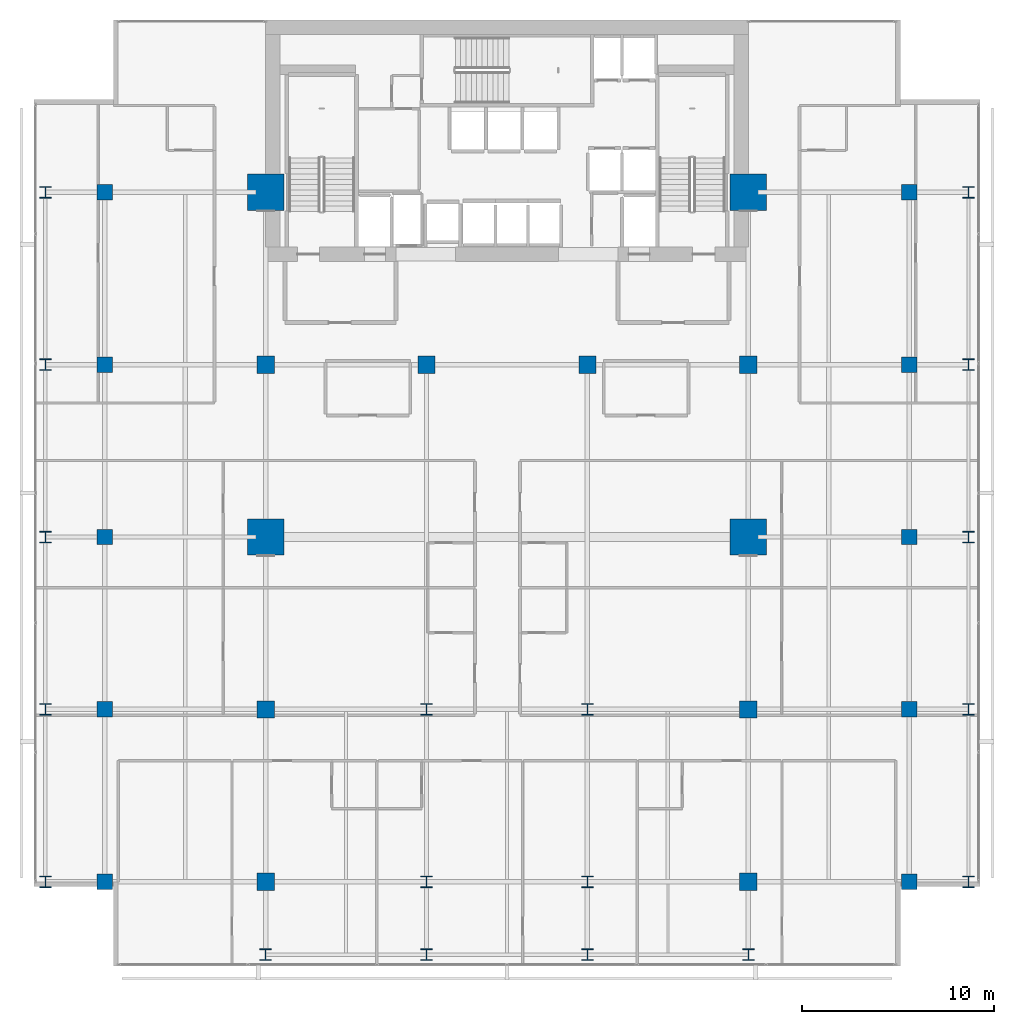
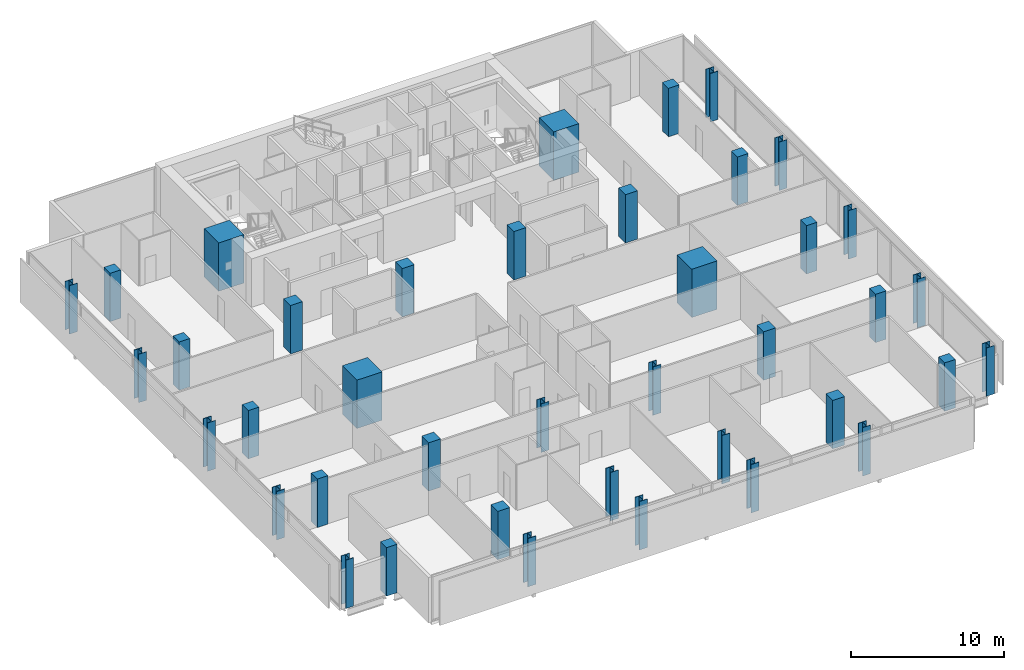
# One storey, part 1 of 32: 40 columns.
"""IFC4 building model written with IfcOpenShell, lengths in metres."""

from ifc_helpers import new_model, si_unit, direction, frame, origin, origin_2d, place, context, subcontext, project, spatial, rectangle, i_section, extrude, material, material_profile, profile_set, type_object, element, save


model = new_model("IFC4")

# Units and contexts
model_context = context("Model", 3, precision=1e-05, world=origin(), true_north=direction((0.0, 1.0)))
body_context = subcontext(model_context, "Body", "Model", "MODEL_VIEW")
ifc_project = project(units=[si_unit("LENGTHUNIT", "METRE"), si_unit("AREAUNIT", "SQUARE_METRE"), si_unit("VOLUMEUNIT", "CUBIC_METRE"), si_unit("PLANEANGLEUNIT", "RADIAN"), si_unit("MASSUNIT", "GRAM", prefix="KILO")], contexts=[model_context])

# Site, building, storey
site_placement = place(None, origin())
site = spatial("IfcSite", under=ifc_project, at=site_placement, CompositionType="ELEMENT")
building_placement = place(site_placement, origin())
building = spatial("IfcBuilding", under=site, at=building_placement, Name="Maruvema Waterfront Hotel and Observation Tower", CompositionType="ELEMENT")
storey_placement = place(building_placement, frame((0.0, 0.0, 165.89990234375)))
storey = spatial("IfcBuildingStorey", under=building, at=storey_placement, Name="L40", CompositionType="ELEMENT", Elevation=165.89990234375)

# Columns
ifc_material_1 = material(Name="Concrete C80/95", Category="concrete")
ifc_material_profile_1 = material_profile(ifc_material_1, rectangle(XDim=1.89990234375, YDim=1.89990234375, at=origin_2d()), Name="MC1900x1900")
ifc_profile_set_1 = profile_set([ifc_material_profile_1], Name="Concrete C80/95")
column_type_1 = type_object("IfcColumnType", Name="Continuous Mega-Column MC1900x1900", PredefinedType="COLUMN", material=ifc_profile_set_1)
for number, where, z_axis, x_axis, name in (
    (1, (25.199951171875, 27.0, 0.0), (0.0, 0.0, 1.0), (1.0, 0.0, 0.0), "L40 Continuous Mega-Column MC-01"),
    (2, (50.39990234375, 27.0, 0.0), (0.0, 0.0, 1.0), (1.0, 0.0, 0.0), "L40 Continuous Mega-Column MC-02"),
    (3, (25.199951171875, 45.0, 0.0), (0.0, 0.0, 1.0), (1.0, 0.0, 0.0), "L40 Continuous Mega-Column MC-03"),
    (4, (50.39990234375, 45.0, 0.0), (0.0, 0.0, 1.0), (1.0, 0.0, 0.0), "L40 Continuous Mega-Column MC-04"),
):
    element("IfcColumn", number, at=place(storey_placement, frame(where, z_axis=z_axis, x_axis=x_axis)), inside=storey, type_object=column_type_1, Name=name, PredefinedType="COLUMN", context=body_context, shape_type="SweptSolid", body=[
        extrude(rectangle(XDim=1.89990234375, YDim=1.89990234375, at=origin_2d()), origin(), (0.0, 0.0, 1.0), 3.85009765625),
    ])
ifc_material_2 = material(Name="Concrete C60/75", Category="concrete")
ifc_material_profile_2 = material_profile(ifc_material_2, rectangle(XDim=0.800048828125, YDim=0.800048828125, at=origin_2d()), Name="RC800x800")
ifc_profile_set_2 = profile_set([ifc_material_profile_2], Name="Concrete C60/75")
column_type_2 = type_object("IfcColumnType", Name="Reinforced Concrete Column RC800x800", PredefinedType="COLUMN", material=ifc_profile_set_2)
for number, where, z_axis, x_axis, name in (
    (5, (16.800048828125, 9.0, 0.0), (0.0, 0.0, 1.0), (1.0, 0.0, 0.0), "L40 Column C-3Y9"),
    (6, (58.800048828125, 9.0, 0.0), (0.0, 0.0, 1.0), (1.0, 0.0, 0.0), "L40 Column C-8Y9"),
    (7, (16.800048828125, 18.0, 0.0), (0.0, 0.0, 1.0), (1.0, 0.0, 0.0), "L40 Column C-3Y18"),
    (8, (58.800048828125, 18.0, 0.0), (0.0, 0.0, 1.0), (1.0, 0.0, 0.0), "L40 Column C-8Y18"),
    (9, (16.800048828125, 27.0, 0.0), (0.0, 0.0, 1.0), (1.0, 0.0, 0.0), "L40 Column C-3Y27"),
    (10, (58.800048828125, 27.0, 0.0), (0.0, 0.0, 1.0), (1.0, 0.0, 0.0), "L40 Column C-8Y27"),
    (11, (16.800048828125, 36.0, 0.0), (0.0, 0.0, 1.0), (1.0, 0.0, 0.0), "L40 Column C-3Y36"),
    (12, (58.800048828125, 36.0, 0.0), (0.0, 0.0, 1.0), (1.0, 0.0, 0.0), "L40 Column C-8Y36"),
    (13, (16.800048828125, 45.0, 0.0), (0.0, 0.0, 1.0), (1.0, 0.0, 0.0), "L40 Column C-3Y45"),
    (14, (58.800048828125, 45.0, 0.0), (0.0, 0.0, 1.0), (1.0, 0.0, 0.0), "L40 Column C-8Y45"),
):
    element("IfcColumn", number, at=place(storey_placement, frame(where, z_axis=z_axis, x_axis=x_axis)), inside=storey, type_object=column_type_2, Name=name, PredefinedType="COLUMN", context=body_context, shape_type="SweptSolid", body=[
        extrude(rectangle(XDim=0.800048828125, YDim=0.800048828125, at=origin_2d()), origin(), (0.0, 0.0, 1.0), 3.85009765625),
    ])
ifc_material_3 = material(Name="Concrete C60/75", Category="concrete")
ifc_material_profile_3 = material_profile(ifc_material_3, rectangle(XDim=0.89990234375, YDim=0.89990234375, at=origin_2d()), Name="RC900x900")
ifc_profile_set_3 = profile_set([ifc_material_profile_3], Name="Concrete C60/75")
column_type_3 = type_object("IfcColumnType", Name="Reinforced Concrete Column RC900x900", PredefinedType="COLUMN", material=ifc_profile_set_3)
for number, where, z_axis, x_axis, name in (
    (15, (25.199951171875, 36.0, 0.0), (0.0, 0.0, 1.0), (1.0, 0.0, 0.0), "L40 Column C-4E"),
    (16, (33.60009765625, 36.0, 0.0), (0.0, 0.0, 1.0), (1.0, 0.0, 0.0), "L40 Column C-5E"),
    (17, (42.0, 36.0, 0.0), (0.0, 0.0, 1.0), (1.0, 0.0, 0.0), "L40 Column C-6E"),
    (18, (50.39990234375, 36.0, 0.0), (0.0, 0.0, 1.0), (1.0, 0.0, 0.0), "L40 Column C-7E"),
    (19, (25.199951171875, 18.0, 0.0), (0.0, 0.0, 1.0), (1.0, 0.0, 0.0), "L40 Column C-4C"),
    (20, (50.39990234375, 18.0, 0.0), (0.0, 0.0, 1.0), (1.0, 0.0, 0.0), "L40 Column C-7C"),
    (21, (25.199951171875, 9.0, 0.0), (0.0, 0.0, 1.0), (1.0, 0.0, 0.0), "L40 Column C-4B"),
    (22, (50.39990234375, 9.0, 0.0), (0.0, 0.0, 1.0), (1.0, 0.0, 0.0), "L40 Column C-7B"),
):
    element("IfcColumn", number, at=place(storey_placement, frame(where, z_axis=z_axis, x_axis=x_axis)), inside=storey, type_object=column_type_3, Name=name, PredefinedType="COLUMN", context=body_context, shape_type="SweptSolid", body=[
        extrude(rectangle(XDim=0.89990234375, YDim=0.89990234375, at=origin_2d()), origin(), (0.0, 0.0, 1.0), 3.85009765625),
    ])
ifc_material_4 = material(Name="Steel ABNT NBR 7007 AR 415 (ASTM A572 Grade 50)", Category="steel")
ifc_material_profile_4 = material_profile(ifc_material_4, i_section(OverallWidth=0.60009765625, OverallDepth=0.60009765625, WebThickness=0.02490234375, FlangeThickness=0.0380859375, at=origin_2d()), Name="CVS600x317")
ifc_profile_set_4 = profile_set([ifc_material_profile_4], Name="Steel ABNT NBR 7007 AR 415 (ASTM A572 Grade 50)")
column_type_4 = type_object("IfcColumnType", Name="Structural Steel Column CVS600x317", PredefinedType="COLUMN", material=ifc_profile_set_4)
for number, where, z_axis, x_axis, name in (
    (23, (33.60009765625, 9.0, 0.0), (0.0, 0.0, 1.0), (1.0, 0.0, 0.0), "L40 Column C-5B"),
    (24, (42.0, 9.0, 0.0), (0.0, 0.0, 1.0), (1.0, 0.0, 0.0), "L40 Column C-6B"),
    (25, (33.60009765625, 18.0, 0.0), (0.0, 0.0, 1.0), (1.0, 0.0, 0.0), "L40 Column C-5C"),
    (26, (42.0, 18.0, 0.0), (0.0, 0.0, 1.0), (1.0, 0.0, 0.0), "L40 Column C-6C"),
    (27, (13.699951171875, 9.0, 0.0), (0.0, 0.0, 1.0), (1.0, 0.0, 0.0), "L40 Column C-Z2W9"),
    (28, (61.89990234375, 9.0, 0.0), (0.0, 0.0, 1.0), (1.0, 0.0, 0.0), "L40 Column C-Z2E9"),
    (29, (13.699951171875, 18.0, 0.0), (0.0, 0.0, 1.0), (1.0, 0.0, 0.0), "L40 Column C-Z2W18"),
    (30, (61.89990234375, 18.0, 0.0), (0.0, 0.0, 1.0), (1.0, 0.0, 0.0), "L40 Column C-Z2E18"),
    (31, (13.699951171875, 27.0, 0.0), (0.0, 0.0, 1.0), (1.0, 0.0, 0.0), "L40 Column C-Z2W27"),
    (32, (61.89990234375, 27.0, 0.0), (0.0, 0.0, 1.0), (1.0, 0.0, 0.0), "L40 Column C-Z2E27"),
    (33, (13.699951171875, 36.0, 0.0), (0.0, 0.0, 1.0), (1.0, 0.0, 0.0), "L40 Column C-Z2W36"),
    (34, (61.89990234375, 36.0, 0.0), (0.0, 0.0, 1.0), (1.0, 0.0, 0.0), "L40 Column C-Z2E36"),
    (35, (13.699951171875, 45.0, 0.0), (0.0, 0.0, 1.0), (1.0, 0.0, 0.0), "L40 Column C-Z2W45"),
    (36, (61.89990234375, 45.0, 0.0), (0.0, 0.0, 1.0), (1.0, 0.0, 0.0), "L40 Column C-Z2E45"),
    (37, (25.199951171875, 5.199951171875, 0.0), (0.0, 0.0, 1.0), (1.0, 0.0, 0.0), "L40 Column C-Z2S4"),
    (38, (33.60009765625, 5.199951171875, 0.0), (0.0, 0.0, 1.0), (1.0, 0.0, 0.0), "L40 Column C-Z2S5"),
    (39, (42.0, 5.199951171875, 0.0), (0.0, 0.0, 1.0), (1.0, 0.0, 0.0), "L40 Column C-Z2S6"),
    (40, (50.39990234375, 5.199951171875, 0.0), (0.0, 0.0, 1.0), (1.0, 0.0, 0.0), "L40 Column C-Z2S7"),
):
    element("IfcColumn", number, at=place(storey_placement, frame(where, z_axis=z_axis, x_axis=x_axis)), inside=storey, type_object=column_type_4, Name=name, PredefinedType="COLUMN", context=body_context, shape_type="SweptSolid", body=[
        extrude(i_section(OverallWidth=0.60009765625, OverallDepth=0.60009765625, WebThickness=0.02490234375, FlangeThickness=0.0380859375, at=origin_2d()), origin(), (0.0, 0.0, 1.0), 3.85009765625),
    ])

save(model, "model.ifc")
